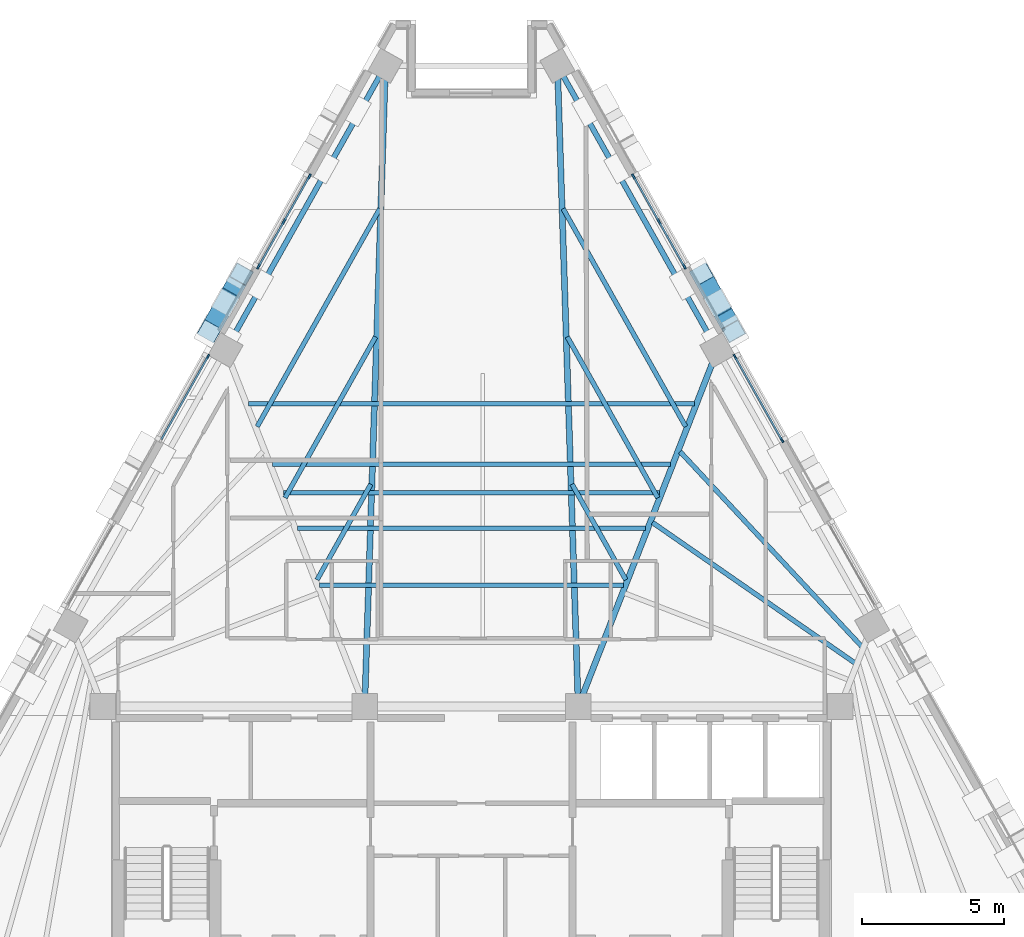
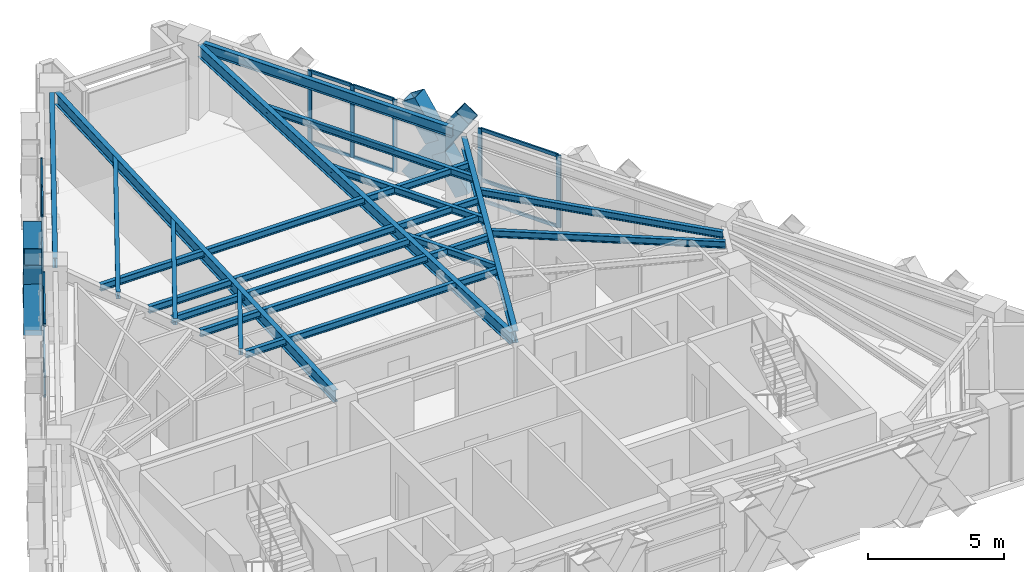
# One storey, part 4 of 13: 33 members, 18 beams, 4 elements without a shape of their own.
"""IFC4 building model written with IfcOpenShell, lengths in metres."""

from ifc_helpers import new_model, si_unit, direction, frame, origin, origin_2d, place, context, subcontext, project, spatial, rectangle, hollow_rectangle, i_section, extrude, material, material_profile, profile_set, type_object, element, aggregate, save


model = new_model("IFC4")

# Units and contexts
model_context = context("Model", 3, precision=1e-05, world=origin(), true_north=direction((0.0, 1.0)))
body_context = subcontext(model_context, "Body", "Model", "MODEL_VIEW")
ifc_project = project(units=[si_unit("LENGTHUNIT", "METRE"), si_unit("AREAUNIT", "SQUARE_METRE"), si_unit("VOLUMEUNIT", "CUBIC_METRE"), si_unit("PLANEANGLEUNIT", "RADIAN"), si_unit("MASSUNIT", "GRAM", prefix="KILO")], contexts=[model_context])

# Site, building, storey
site_placement = place(None, origin())
site = spatial("IfcSite", under=ifc_project, at=site_placement, CompositionType="ELEMENT")
building_placement = place(site_placement, origin())
building = spatial("IfcBuilding", under=site, at=building_placement, Name="Quenlor Broadcast Tower", CompositionType="ELEMENT")
storey_placement = place(building_placement, frame((0.0, 0.0, 214.89990234375)))
storey = spatial("IfcBuildingStorey", under=building, at=storey_placement, Name="L59", CompositionType="ELEMENT", Elevation=214.89990234375)

# Curtain wall, members
ifc_material_1 = material(Name="Architectural Terracotta and Low-E Glazing", Category="masonry")
curtain_wall_type = type_object("IfcCurtainWallType", Name="Unitised Terracotta Curtain Wall System Z4", PredefinedType="NOTDEFINED", material=ifc_material_1)
curtain_wall_1_placement = place(storey_placement, origin())
curtain_wall_1 = element("IfcCurtainWall", 1, at=curtain_wall_1_placement, inside=storey, type_object=curtain_wall_type, Name="L59 Curtain Wall CW4 (L59-NEA-G1)", PredefinedType="NOTDEFINED")
ifc_material_2 = material(Name="Aluminium 6063-T6", Category="aluminium")
ifc_material_profile_1 = material_profile(ifc_material_2, rectangle(XDim=0.068115234375, YDim=0.179931640625, at=origin_2d()))
ifc_profile_set_1 = profile_set([ifc_material_profile_1], Name="Aluminium 6063-T6 MULL68x180")
member_type_1 = type_object("IfcMemberType", Name="CW4 Aluminium Mullion MULL_CW4", PredefinedType="MULLION", material=ifc_profile_set_1)
member_1_placement = place(storey_placement, frame((5.693115234375, 13.820068359375, 0.0), z_axis=(0.0, 0.0, 1.0), x_axis=(0.871576257465, 0.490259959025, 0.0)))
member_1 = element("IfcMember", 2, at=member_1_placement, type_object=member_type_1, Name="CW4 mullion 1", PredefinedType="MULLION", context=body_context, shape_type="SweptSolid", body=[
    extrude(rectangle(XDim=0.068115234375, YDim=0.179931640625, at=origin_2d()), origin(), (0.0, 0.0, 1.0), 3.25),
])
member_2_placement = place(storey_placement, frame((6.585205078125, 12.23388671875, 0.0), z_axis=(0.0, 0.0, 1.0), x_axis=(0.871576257465, 0.490259959025, 0.0)))
member_2 = element("IfcMember", 3, at=member_2_placement, type_object=member_type_1, Name="CW4 mullion 2", PredefinedType="MULLION", context=body_context, shape_type="SweptSolid", body=[
    extrude(rectangle(XDim=0.068115234375, YDim=0.179931640625, at=origin_2d()), origin(), (0.0, 0.0, 1.0), 3.25),
])
member_3_placement = place(storey_placement, frame((7.477294921875, 10.64794921875, 0.0), z_axis=(0.0, 0.0, 1.0), x_axis=(0.871576257465, 0.490259959025, 0.0)))
member_3 = element("IfcMember", 4, at=member_3_placement, type_object=member_type_1, Name="CW4 mullion 3", PredefinedType="MULLION", context=body_context, shape_type="SweptSolid", body=[
    extrude(rectangle(XDim=0.068115234375, YDim=0.179931640625, at=origin_2d()), origin(), (0.0, 0.0, 1.0), 3.25),
])

curtain_wall_2_placement = place(storey_placement, origin())
curtain_wall_2 = element("IfcCurtainWall", 5, at=curtain_wall_2_placement, inside=storey, type_object=curtain_wall_type, Name="L59 Curtain Wall CW4 (L59-NE-G1)", PredefinedType="NOTDEFINED")
member_4_placement = place(storey_placement, frame((9.257080078125, 7.484130859375, 0.0), z_axis=(0.0, 0.0, 1.0), x_axis=(0.871577871382, 0.490257089819, 0.0)))
member_4 = element("IfcMember", 6, at=member_4_placement, type_object=member_type_1, Name="CW4 mullion 1", PredefinedType="MULLION", context=body_context, shape_type="SweptSolid", body=[
    extrude(rectangle(XDim=0.068115234375, YDim=0.179931640625, at=origin_2d()), origin(), (0.0, 0.0, 1.0), 3.25),
])
member_5_placement = place(storey_placement, frame((10.906494140625, 4.5517578125, 0.0), z_axis=(0.0, 0.0, 1.0), x_axis=(0.871577871382, 0.490257089819, 0.0)))
member_5 = element("IfcMember", 7, at=member_5_placement, type_object=member_type_1, Name="CW4 mullion 2", PredefinedType="MULLION", context=body_context, shape_type="SweptSolid", body=[
    extrude(rectangle(XDim=0.068115234375, YDim=0.179931640625, at=origin_2d()), origin(), (0.0, 0.0, 1.0), 3.25),
])

curtain_wall_3_placement = place(storey_placement, origin())
curtain_wall_3 = element("IfcCurtainWall", 8, at=curtain_wall_3_placement, inside=storey, type_object=curtain_wall_type, Name="L59 Curtain Wall CW4 (L59-NWC-G1)", PredefinedType="NOTDEFINED")
member_6_placement = place(storey_placement, frame((-7.477294921875, 10.64794921875, 0.0), z_axis=(0.0, 0.0, 1.0), x_axis=(-0.871576257465, 0.490259959025, 0.0)))
member_6 = element("IfcMember", 9, at=member_6_placement, type_object=member_type_1, Name="CW4 mullion 1", PredefinedType="MULLION", context=body_context, shape_type="SweptSolid", body=[
    extrude(rectangle(XDim=0.068115234375, YDim=0.179931640625, at=origin_2d()), origin(), (0.0, 0.0, 1.0), 3.25),
])
member_7_placement = place(storey_placement, frame((-6.585205078125, 12.23388671875, 0.0), z_axis=(0.0, 0.0, 1.0), x_axis=(-0.871576257465, 0.490259959025, 0.0)))
member_7 = element("IfcMember", 10, at=member_7_placement, type_object=member_type_1, Name="CW4 mullion 2", PredefinedType="MULLION", context=body_context, shape_type="SweptSolid", body=[
    extrude(rectangle(XDim=0.068115234375, YDim=0.179931640625, at=origin_2d()), origin(), (0.0, 0.0, 1.0), 3.25),
])
member_8_placement = place(storey_placement, frame((-5.693115234375, 13.820068359375, 0.0), z_axis=(0.0, 0.0, 1.0), x_axis=(-0.871576257465, 0.490259959025, 0.0)))
member_8 = element("IfcMember", 11, at=member_8_placement, type_object=member_type_1, Name="CW4 mullion 3", PredefinedType="MULLION", context=body_context, shape_type="SweptSolid", body=[
    extrude(rectangle(XDim=0.068115234375, YDim=0.179931640625, at=origin_2d()), origin(), (0.0, 0.0, 1.0), 3.25),
])

# Curtain wall, member
curtain_wall_4_placement = place(storey_placement, origin())
curtain_wall_4 = element("IfcCurtainWall", 12, at=curtain_wall_4_placement, inside=storey, type_object=curtain_wall_type, Name="L59 Curtain Wall CW4 (L59-NW-G2)", PredefinedType="NOTDEFINED")
member_9_placement = place(storey_placement, frame((-9.257080078125, 7.484130859375, 0.0), z_axis=(0.0, 0.0, 1.0), x_axis=(-0.871577871382, 0.490257089819, 0.0)))
member_9 = element("IfcMember", 13, at=member_9_placement, type_object=member_type_1, Name="CW4 mullion 2", PredefinedType="MULLION", context=body_context, shape_type="SweptSolid", body=[
    extrude(rectangle(XDim=0.068115234375, YDim=0.179931640625, at=origin_2d()), origin(), (0.0, 0.0, 1.0), 3.25),
])

# Member
ifc_material_3 = material(Name="Aluminium 6063-T6", Category="aluminium")
ifc_material_profile_2 = material_profile(ifc_material_3, rectangle(XDim=0.068115234375, YDim=0.14990234375, at=origin_2d()))
ifc_profile_set_2 = profile_set([ifc_material_profile_2], Name="Aluminium 6063-T6 TRAN68x150")
member_type_2 = type_object("IfcMemberType", Name="CW4 Aluminium Transom TRAN_CW4", PredefinedType="USERDEFINED", material=ifc_profile_set_2)
member_10_placement = place(storey_placement, frame((5.709716796875, 13.790283203125, 0.0341796875), z_axis=(0.490334029137, -0.871534589027, 0.0), x_axis=(0.871534589027, 0.490334029137, 0.0)))
member_10 = element("IfcMember", 14, at=member_10_placement, type_object=member_type_2, Name="CW4 transom 1.1", ObjectType="TRANSOM", PredefinedType="USERDEFINED", context=body_context, shape_type="SweptSolid", body=[
    extrude(rectangle(XDim=0.068115234375, YDim=0.14990234375, at=origin_2d()), origin(), (0.0, 0.0, 1.0), 1.751708984375),
])

member_11_placement = place(storey_placement, frame((5.709716796875, 13.790283203125, 0.9501953125), z_axis=(0.490334029137, -0.871534589027, 0.0), x_axis=(0.871534589027, 0.490334029137, 0.0)))
member_11 = element("IfcMember", 15, at=member_11_placement, type_object=member_type_2, Name="CW4 transom 1.2", ObjectType="TRANSOM", PredefinedType="USERDEFINED", context=body_context, shape_type="SweptSolid", body=[
    extrude(rectangle(XDim=0.068115234375, YDim=0.14990234375, at=origin_2d()), origin(), (0.0, 0.0, 1.0), 1.751708984375),
])

member_12_placement = place(storey_placement, frame((5.709716796875, 13.790283203125, 3.216064453125), z_axis=(0.490334029137, -0.871534589027, 0.0), x_axis=(0.871534589027, 0.490334029137, 0.0)))
member_12 = element("IfcMember", 16, at=member_12_placement, type_object=member_type_2, Name="CW4 transom 1.3", ObjectType="TRANSOM", PredefinedType="USERDEFINED", context=body_context, shape_type="SweptSolid", body=[
    extrude(rectangle(XDim=0.068115234375, YDim=0.14990234375, at=origin_2d()), origin(), (0.0, 0.0, 1.0), 1.751708984375),
])

member_13_placement = place(storey_placement, frame((6.601806640625, 12.204345703125, 0.0341796875), z_axis=(0.490274472735, -0.871568093372, 0.0), x_axis=(0.871568093372, 0.490274472735, 0.0)))
member_13 = element("IfcMember", 17, at=member_13_placement, type_object=member_type_2, Name="CW4 transom 2.1", ObjectType="TRANSOM", PredefinedType="USERDEFINED", context=body_context, shape_type="SweptSolid", body=[
    extrude(rectangle(XDim=0.068115234375, YDim=0.14990234375, at=origin_2d()), origin(), (0.0, 0.0, 1.0), 1.751953125),
])

member_14_placement = place(storey_placement, frame((6.601806640625, 12.204345703125, 0.9501953125), z_axis=(0.490274472735, -0.871568093372, 0.0), x_axis=(0.871568093372, 0.490274472735, 0.0)))
member_14 = element("IfcMember", 18, at=member_14_placement, type_object=member_type_2, Name="CW4 transom 2.2", ObjectType="TRANSOM", PredefinedType="USERDEFINED", context=body_context, shape_type="SweptSolid", body=[
    extrude(rectangle(XDim=0.068115234375, YDim=0.14990234375, at=origin_2d()), origin(), (0.0, 0.0, 1.0), 1.751953125),
])

member_15_placement = place(storey_placement, frame((6.601806640625, 12.204345703125, 3.216064453125), z_axis=(0.490274472735, -0.871568093372, 0.0), x_axis=(0.871568093372, 0.490274472735, 0.0)))
member_15 = element("IfcMember", 19, at=member_15_placement, type_object=member_type_2, Name="CW4 transom 2.3", ObjectType="TRANSOM", PredefinedType="USERDEFINED", context=body_context, shape_type="SweptSolid", body=[
    extrude(rectangle(XDim=0.068115234375, YDim=0.14990234375, at=origin_2d()), origin(), (0.0, 0.0, 1.0), 1.751953125),
])

aggregate(curtain_wall_1, [member_1, member_2, member_3, member_10, member_11, member_12, member_13, member_14, member_15])

member_16_placement = place(storey_placement, frame((9.273681640625, 7.454345703125, 0.0341796875), z_axis=(0.490264756272, -0.871573559005, 0.0), x_axis=(0.871573559005, 0.490264756272, 0.0)))
member_16 = element("IfcMember", 20, at=member_16_placement, type_object=member_type_2, Name="CW4 transom 1.1", ObjectType="TRANSOM", PredefinedType="USERDEFINED", context=body_context, shape_type="SweptSolid", body=[
    extrude(rectangle(XDim=0.068115234375, YDim=0.14990234375, at=origin_2d()), origin(), (0.0, 0.0, 1.0), 3.296142578125),
])

member_17_placement = place(storey_placement, frame((9.273681640625, 7.454345703125, 0.9501953125), z_axis=(0.490264756272, -0.871573559005, 0.0), x_axis=(0.871573559005, 0.490264756272, 0.0)))
member_17 = element("IfcMember", 21, at=member_17_placement, type_object=member_type_2, Name="CW4 transom 1.2", ObjectType="TRANSOM", PredefinedType="USERDEFINED", context=body_context, shape_type="SweptSolid", body=[
    extrude(rectangle(XDim=0.068115234375, YDim=0.14990234375, at=origin_2d()), origin(), (0.0, 0.0, 1.0), 3.296142578125),
])

member_18_placement = place(storey_placement, frame((9.273681640625, 7.454345703125, 3.216064453125), z_axis=(0.490264756272, -0.871573559005, 0.0), x_axis=(0.871573559005, 0.490264756272, 0.0)))
member_18 = element("IfcMember", 22, at=member_18_placement, type_object=member_type_2, Name="CW4 transom 1.3", ObjectType="TRANSOM", PredefinedType="USERDEFINED", context=body_context, shape_type="SweptSolid", body=[
    extrude(rectangle(XDim=0.068115234375, YDim=0.14990234375, at=origin_2d()), origin(), (0.0, 0.0, 1.0), 3.296142578125),
])

aggregate(curtain_wall_2, [member_4, member_5, member_16, member_17, member_18])

member_19_placement = place(storey_placement, frame((-7.460693359375, 10.677490234375, 0.0341796875), z_axis=(0.490274472735, 0.871568093372, 0.0), x_axis=(-0.871568093372, 0.490274472735, 0.0)))
member_19 = element("IfcMember", 23, at=member_19_placement, type_object=member_type_2, Name="CW4 transom 1.1", ObjectType="TRANSOM", PredefinedType="USERDEFINED", context=body_context, shape_type="SweptSolid", body=[
    extrude(rectangle(XDim=0.068115234375, YDim=0.14990234375, at=origin_2d()), origin(), (0.0, 0.0, 1.0), 1.751953125),
])

member_20_placement = place(storey_placement, frame((-7.460693359375, 10.677490234375, 0.9501953125), z_axis=(0.490274472735, 0.871568093372, 0.0), x_axis=(-0.871568093372, 0.490274472735, 0.0)))
member_20 = element("IfcMember", 24, at=member_20_placement, type_object=member_type_2, Name="CW4 transom 1.2", ObjectType="TRANSOM", PredefinedType="USERDEFINED", context=body_context, shape_type="SweptSolid", body=[
    extrude(rectangle(XDim=0.068115234375, YDim=0.14990234375, at=origin_2d()), origin(), (0.0, 0.0, 1.0), 1.751953125),
])

member_21_placement = place(storey_placement, frame((-7.460693359375, 10.677490234375, 3.216064453125), z_axis=(0.490274472735, 0.871568093372, 0.0), x_axis=(-0.871568093372, 0.490274472735, 0.0)))
member_21 = element("IfcMember", 25, at=member_21_placement, type_object=member_type_2, Name="CW4 transom 1.3", ObjectType="TRANSOM", PredefinedType="USERDEFINED", context=body_context, shape_type="SweptSolid", body=[
    extrude(rectangle(XDim=0.068115234375, YDim=0.14990234375, at=origin_2d()), origin(), (0.0, 0.0, 1.0), 1.751953125),
])

member_22_placement = place(storey_placement, frame((-6.568603515625, 12.263671875, 0.0341796875), z_axis=(0.490334029137, 0.871534589027, 0.0), x_axis=(-0.871534589027, 0.490334029137, 0.0)))
member_22 = element("IfcMember", 26, at=member_22_placement, type_object=member_type_2, Name="CW4 transom 2.1", ObjectType="TRANSOM", PredefinedType="USERDEFINED", context=body_context, shape_type="SweptSolid", body=[
    extrude(rectangle(XDim=0.068115234375, YDim=0.14990234375, at=origin_2d()), origin(), (0.0, 0.0, 1.0), 1.751708984375),
])

member_23_placement = place(storey_placement, frame((-6.568603515625, 12.263671875, 0.9501953125), z_axis=(0.490334029137, 0.871534589027, 0.0), x_axis=(-0.871534589027, 0.490334029137, 0.0)))
member_23 = element("IfcMember", 27, at=member_23_placement, type_object=member_type_2, Name="CW4 transom 2.2", ObjectType="TRANSOM", PredefinedType="USERDEFINED", context=body_context, shape_type="SweptSolid", body=[
    extrude(rectangle(XDim=0.068115234375, YDim=0.14990234375, at=origin_2d()), origin(), (0.0, 0.0, 1.0), 1.751708984375),
])

member_24_placement = place(storey_placement, frame((-6.568603515625, 12.263671875, 3.216064453125), z_axis=(0.490334029137, 0.871534589027, 0.0), x_axis=(-0.871534589027, 0.490334029137, 0.0)))
member_24 = element("IfcMember", 28, at=member_24_placement, type_object=member_type_2, Name="CW4 transom 2.3", ObjectType="TRANSOM", PredefinedType="USERDEFINED", context=body_context, shape_type="SweptSolid", body=[
    extrude(rectangle(XDim=0.068115234375, YDim=0.14990234375, at=origin_2d()), origin(), (0.0, 0.0, 1.0), 1.751708984375),
])

aggregate(curtain_wall_3, [member_6, member_7, member_8, member_19, member_20, member_21, member_22, member_23, member_24])

member_25_placement = place(storey_placement, frame((-10.8896484375, 4.58154296875, 0.0341796875), z_axis=(0.490264756272, 0.871573559005, 0.0), x_axis=(-0.871573559005, 0.490264756272, 0.0)))
member_25 = element("IfcMember", 29, at=member_25_placement, type_object=member_type_2, Name="CW4 transom 1.1", ObjectType="TRANSOM", PredefinedType="USERDEFINED", context=body_context, shape_type="SweptSolid", body=[
    extrude(rectangle(XDim=0.068115234375, YDim=0.14990234375, at=origin_2d()), origin(), (0.0, 0.0, 1.0), 3.296142578125),
])

member_26_placement = place(storey_placement, frame((-10.8896484375, 4.58154296875, 0.9501953125), z_axis=(0.490264756272, 0.871573559005, 0.0), x_axis=(-0.871573559005, 0.490264756272, 0.0)))
member_26 = element("IfcMember", 30, at=member_26_placement, type_object=member_type_2, Name="CW4 transom 1.2", ObjectType="TRANSOM", PredefinedType="USERDEFINED", context=body_context, shape_type="SweptSolid", body=[
    extrude(rectangle(XDim=0.068115234375, YDim=0.14990234375, at=origin_2d()), origin(), (0.0, 0.0, 1.0), 3.296142578125),
])

member_27_placement = place(storey_placement, frame((-10.8896484375, 4.58154296875, 3.216064453125), z_axis=(0.490264756272, 0.871573559005, 0.0), x_axis=(-0.871573559005, 0.490264756272, 0.0)))
member_27 = element("IfcMember", 31, at=member_27_placement, type_object=member_type_2, Name="CW4 transom 1.3", ObjectType="TRANSOM", PredefinedType="USERDEFINED", context=body_context, shape_type="SweptSolid", body=[
    extrude(rectangle(XDim=0.068115234375, YDim=0.14990234375, at=origin_2d()), origin(), (0.0, 0.0, 1.0), 3.296142578125),
])

aggregate(curtain_wall_4, [member_9, member_25, member_26, member_27])

# Members
ifc_material_4 = material(Name="Steel S355", Category="steel")
ifc_material_profile_3 = material_profile(ifc_material_4, hollow_rectangle(XDim=0.679931640625, YDim=0.679931640625, WallThickness=0.02490234375, at=origin_2d()))
ifc_profile_set_3 = profile_set([ifc_material_profile_3], Name="Steel S355 RHS680x680x25")
member_type_3 = type_object("IfcMemberType", Name="Perimeter Diagonal Lattice Brace Z3-Z4 Steel S355 RHS680x25", PredefinedType="BRACE", material=ifc_profile_set_3)
member_28_placement = place(storey_placement, frame((8.079345703125, 10.38330078125, -0.119873046875), z_axis=(0.269547055694, -0.479136497832, 0.835327840559), x_axis=(0.871550060774, 0.49030652817, 0.0)))
element("IfcMember", 32, at=member_28_placement, inside=storey, type_object=member_type_3, Name="L59 Perimeter Diamond Lattice NE-C2XA", PredefinedType="BRACE", context=body_context, shape_type="SweptSolid", body=[
    extrude(hollow_rectangle(XDim=0.679931640625, YDim=0.679931640625, WallThickness=0.02490234375, at=origin_2d()), origin(), (0.0, 0.0, 1.0), 4.18994140625),
])
for number, where, z_axis, x_axis, name in (
    (33, (9.208740234375, 8.375732421875, -0.119873046875), (-0.269535527865, 0.479130165145, 0.835335192642), (-0.871556252289, -0.490295522207, 0.0), "L59 Perimeter Diamond Lattice NE-C2XB1"),
    (34, (8.57666015625, 9.499267578125, 1.8388671875), (-0.269535527865, 0.479130165145, 0.835335192642), (-0.871556252289, -0.490295522207, 0.0), "L59 Perimeter Diamond Lattice NE-C2XB2"),
):
    element("IfcMember", number, at=place(storey_placement, frame(where, z_axis=z_axis, x_axis=x_axis)), inside=storey, type_object=member_type_3, Name=name, PredefinedType="BRACE", context=body_context, shape_type="SweptSolid", body=[
        extrude(hollow_rectangle(XDim=0.679931640625, YDim=0.679931640625, WallThickness=0.02490234375, at=origin_2d()), origin(), (0.0, 0.0, 1.0), 1.844970703125),
    ])
member_29_placement = place(storey_placement, frame((-9.208740234375, 8.375732421875, -0.119873046875), z_axis=(0.269547055694, 0.479136497832, 0.835327840559), x_axis=(-0.871550060774, 0.49030652817, 0.0)))
element("IfcMember", 35, at=member_29_placement, inside=storey, type_object=member_type_3, Name="L59 Perimeter Diamond Lattice NW-C4XA", PredefinedType="BRACE", context=body_context, shape_type="SweptSolid", body=[
    extrude(hollow_rectangle(XDim=0.679931640625, YDim=0.679931640625, WallThickness=0.02490234375, at=origin_2d()), origin(), (0.0, 0.0, 1.0), 4.18994140625),
])
for number, where, z_axis, x_axis, name in (
    (36, (-8.079345703125, 10.38330078125, -0.119873046875), (-0.269535527865, -0.479130165145, 0.835335192642), (0.871556252289, -0.490295522207, 0.0), "L59 Perimeter Diamond Lattice NW-C4XB1"),
    (37, (-8.71142578125, 9.259765625, 1.8388671875), (-0.269535527865, -0.479130165145, 0.835335192642), (0.871556252289, -0.490295522207, 0.0), "L59 Perimeter Diamond Lattice NW-C4XB2"),
):
    element("IfcMember", number, at=place(storey_placement, frame(where, z_axis=z_axis, x_axis=x_axis)), inside=storey, type_object=member_type_3, Name=name, PredefinedType="BRACE", context=body_context, shape_type="SweptSolid", body=[
        extrude(hollow_rectangle(XDim=0.679931640625, YDim=0.679931640625, WallThickness=0.02490234375, at=origin_2d()), origin(), (0.0, 0.0, 1.0), 1.844970703125),
    ])

# Beams
ifc_material_5 = material(Name="Steel S355", Category="steel")
ifc_material_profile_4 = material_profile(ifc_material_5, i_section(OverallWidth=0.18994140625, OverallDepth=0.453857421875, WebThickness=0.008544921875, FlangeThickness=0.0126953125, FilletRadius=0.011474609375, at=origin_2d()))
ifc_profile_set_4 = profile_set([ifc_material_profile_4], Name="Steel S355 460UB67.1")
beam_type_1 = type_object("IfcBeamType", Name="Perimeter Spandrel Beam Z4 Steel S355 460UB67.1", PredefinedType="SPANDREL", material=ifc_profile_set_4)
for number, where, z_axis, x_axis, name in (
    (38, (8.438720703125, 8.072265625, 3.023193359375), (-0.490281935429, 0.871563895415, 0.0), (-0.871563895415, -0.490281935429, 0.0), "L59 Spandrel Beam NE3-NE4"),
    (39, (-3.221435546875, 17.346923828125, 3.023193359375), (-0.490281935429, -0.871563895415, 0.0), (0.871563895415, -0.490281935429, 0.0), "L59 Spandrel Beam NW1-NW2"),
):
    element("IfcBeam", number, at=place(storey_placement, frame(where, z_axis=z_axis, x_axis=x_axis)), inside=storey, type_object=beam_type_1, Name=name, PredefinedType="SPANDREL", context=body_context, shape_type="SweptSolid", body=[
        extrude(i_section(OverallWidth=0.18994140625, OverallDepth=0.453857421875, WebThickness=0.008544921875, FlangeThickness=0.0126953125, FilletRadius=0.011474609375, at=origin_2d()), origin(), (0.0, 0.0, 1.0), 10.641357421875),
    ])
ifc_material_6 = material(Name="Steel S355", Category="steel")
ifc_material_profile_5 = material_profile(ifc_material_6, i_section(OverallWidth=0.166015625, OverallDepth=0.30712890625, WebThickness=0.006591796875, FlangeThickness=0.01171875, FilletRadius=0.011474609375, at=origin_2d()))
ifc_profile_set_5 = profile_set([ifc_material_profile_5], Name="Steel S355 310UB46.2")
beam_type_2 = type_object("IfcBeamType", Name="Tower Composite Joist Z4-Z5 Steel S355 310UB46.2", PredefinedType="JOIST", material=ifc_profile_set_5)
beam_1_placement = place(storey_placement, frame((-6.603759765625, 2.708984375, 3.096435546875), z_axis=(1.0, 0.0, 0.0), x_axis=(0.0, 1.0, 0.0)))
element("IfcBeam", 40, at=beam_1_placement, inside=storey, type_object=beam_type_2, Name="L59 Secondary Composite Joist 2", PredefinedType="JOIST", context=body_context, shape_type="SweptSolid", body=[
    extrude(i_section(OverallWidth=0.166015625, OverallDepth=0.30712890625, WebThickness=0.006591796875, FlangeThickness=0.01171875, FilletRadius=0.011474609375, at=origin_2d()), origin(), (0.0, 0.0, 1.0), 13.20751953125),
])
beam_2_placement = place(storey_placement, frame((-5.33251953125, -0.544921875, 3.096435546875), z_axis=(1.0, 0.0, 0.0), x_axis=(0.0, 1.0, 0.0)))
element("IfcBeam", 41, at=beam_2_placement, inside=storey, type_object=beam_type_2, Name="L59 Secondary Composite Joist 3", PredefinedType="JOIST", context=body_context, shape_type="SweptSolid", body=[
    extrude(i_section(OverallWidth=0.166015625, OverallDepth=0.30712890625, WebThickness=0.006591796875, FlangeThickness=0.01171875, FilletRadius=0.011474609375, at=origin_2d()), origin(), (0.0, 0.0, 1.0), 10.6650390625),
])
beam_3_placement = place(storey_placement, frame((-6.11474609375, 1.45751953125, 3.096435546875), z_axis=(1.0, 0.0, 0.0), x_axis=(0.0, 1.0, 0.0)))
element("IfcBeam", 42, at=beam_3_placement, inside=storey, type_object=beam_type_2, Name="L59 Secondary Composite Joist 4", PredefinedType="JOIST", context=body_context, shape_type="SweptSolid", body=[
    extrude(i_section(OverallWidth=0.166015625, OverallDepth=0.30712890625, WebThickness=0.006591796875, FlangeThickness=0.01171875, FilletRadius=0.011474609375, at=origin_2d()), origin(), (0.0, 0.0, 1.0), 12.2294921875),
])
beam_4_placement = place(storey_placement, frame((-6.994873046875, 3.710205078125, 3.096435546875), z_axis=(1.0, 0.0, 0.0), x_axis=(0.0, 1.0, 0.0)))
element("IfcBeam", 43, at=beam_4_placement, inside=storey, type_object=beam_type_2, Name="L59 Secondary Composite Joist 5", PredefinedType="JOIST", context=body_context, shape_type="SweptSolid", body=[
    extrude(i_section(OverallWidth=0.166015625, OverallDepth=0.30712890625, WebThickness=0.006591796875, FlangeThickness=0.01171875, FilletRadius=0.011474609375, at=origin_2d()), origin(), (0.0, 0.0, 1.0), 13.98974609375),
])
beam_5_placement = place(storey_placement, frame((-7.826171875, 5.837646484375, 3.096435546875), z_axis=(1.0, 0.0, 0.0), x_axis=(0.0, 1.0, 0.0)))
element("IfcBeam", 44, at=beam_5_placement, inside=storey, type_object=beam_type_2, Name="L59 Secondary Composite Joist 6", PredefinedType="JOIST", context=body_context, shape_type="SweptSolid", body=[
    extrude(i_section(OverallWidth=0.166015625, OverallDepth=0.30712890625, WebThickness=0.006591796875, FlangeThickness=0.01171875, FilletRadius=0.011474609375, at=origin_2d()), origin(), (0.0, 0.0, 1.0), 15.65234375),
])
beam_6_placement = place(storey_placement, frame((13.470458984375, -3.273681640625, 3.096435546875), z_axis=(-0.821539857981, 0.570151086773, 0.0), x_axis=(-0.570151086773, -0.821539857981, 0.0)))
element("IfcBeam", 45, at=beam_6_placement, inside=storey, type_object=beam_type_2, Name="L59 Secondary Composite Joist 11", PredefinedType="JOIST", context=body_context, shape_type="SweptSolid", body=[
    extrude(i_section(OverallWidth=0.166015625, OverallDepth=0.30712890625, WebThickness=0.006591796875, FlangeThickness=0.01171875, FilletRadius=0.011474609375, at=origin_2d()), origin(), (0.0, 0.0, 1.0), 8.656982421875),
])
beam_7_placement = place(storey_placement, frame((13.707275390625, -2.691162109375, 3.096435546875), z_axis=(-0.682034672805, 0.731319837754, 0.0), x_axis=(-0.731319837754, -0.682034672805, 0.0)))
element("IfcBeam", 46, at=beam_7_placement, inside=storey, type_object=beam_type_2, Name="L59 Secondary Composite Joist 12", PredefinedType="JOIST", context=body_context, shape_type="SweptSolid", body=[
    extrude(i_section(OverallWidth=0.166015625, OverallDepth=0.30712890625, WebThickness=0.006591796875, FlangeThickness=0.01171875, FilletRadius=0.011474609375, at=origin_2d()), origin(), (0.0, 0.0, 1.0), 9.357421875),
])
beam_8_placement = place(storey_placement, frame((-3.533935546875, 3.0068359375, 3.096435546875), z_axis=(-0.490243182397, -0.871585694073, 0.0), x_axis=(0.871585694073, -0.490243182397, 0.0)))
element("IfcBeam", 47, at=beam_8_placement, inside=storey, type_object=beam_type_2, Name="L59 Secondary Composite Joist 25", PredefinedType="JOIST", context=body_context, shape_type="SweptSolid", body=[
    extrude(i_section(OverallWidth=0.166015625, OverallDepth=0.30712890625, WebThickness=0.006591796875, FlangeThickness=0.01171875, FilletRadius=0.011474609375, at=origin_2d()), origin(), (0.0, 0.0, 1.0), 3.8515625),
])
beam_9_placement = place(storey_placement, frame((-3.3662109375, 8.182861328125, 3.096435546875), z_axis=(-0.490230865807, -0.871592621705, 0.0), x_axis=(0.871592621705, -0.490230865807, 0.0)))
element("IfcBeam", 48, at=beam_9_placement, inside=storey, type_object=beam_type_2, Name="L59 Secondary Composite Joist 26", PredefinedType="JOIST", context=body_context, shape_type="SweptSolid", body=[
    extrude(i_section(OverallWidth=0.166015625, OverallDepth=0.30712890625, WebThickness=0.006591796875, FlangeThickness=0.01171875, FilletRadius=0.011474609375, at=origin_2d()), origin(), (0.0, 0.0, 1.0), 6.487548828125),
])
beam_10_placement = place(storey_placement, frame((-3.22021484375, 12.68359375, 3.096435546875), z_axis=(-0.490261239633, -0.871575537125, 0.0), x_axis=(0.871575537125, -0.490261239633, 0.0)))
element("IfcBeam", 49, at=beam_10_placement, inside=storey, type_object=beam_type_2, Name="L59 Secondary Composite Joist 27", PredefinedType="JOIST", context=body_context, shape_type="SweptSolid", body=[
    extrude(i_section(OverallWidth=0.166015625, OverallDepth=0.30712890625, WebThickness=0.006591796875, FlangeThickness=0.01171875, FilletRadius=0.011474609375, at=origin_2d()), origin(), (0.0, 0.0, 1.0), 8.77978515625),
])
beam_11_placement = place(storey_placement, frame((3.533935546875, 3.0068359375, 3.096435546875), z_axis=(0.490243182397, -0.871585694073, 0.0), x_axis=(0.871585694073, 0.490243182397, 0.0)))
element("IfcBeam", 50, at=beam_11_placement, inside=storey, type_object=beam_type_2, Name="L59 Secondary Composite Joist 28", PredefinedType="JOIST", context=body_context, shape_type="SweptSolid", body=[
    extrude(i_section(OverallWidth=0.166015625, OverallDepth=0.30712890625, WebThickness=0.006591796875, FlangeThickness=0.01171875, FilletRadius=0.011474609375, at=origin_2d()), origin(), (0.0, 0.0, 1.0), 3.8515625),
])
beam_12_placement = place(storey_placement, frame((3.3662109375, 8.182861328125, 3.096435546875), z_axis=(0.490230865807, -0.871592621705, 0.0), x_axis=(0.871592621705, 0.490230865807, 0.0)))
element("IfcBeam", 51, at=beam_12_placement, inside=storey, type_object=beam_type_2, Name="L59 Secondary Composite Joist 29", PredefinedType="JOIST", context=body_context, shape_type="SweptSolid", body=[
    extrude(i_section(OverallWidth=0.166015625, OverallDepth=0.30712890625, WebThickness=0.006591796875, FlangeThickness=0.01171875, FilletRadius=0.011474609375, at=origin_2d()), origin(), (0.0, 0.0, 1.0), 6.487548828125),
])
beam_13_placement = place(storey_placement, frame((3.22021484375, 12.68359375, 3.096435546875), z_axis=(0.490261239633, -0.871575537125, 0.0), x_axis=(0.871575537125, 0.490261239633, 0.0)))
element("IfcBeam", 52, at=beam_13_placement, inside=storey, type_object=beam_type_2, Name="L59 Secondary Composite Joist 30", PredefinedType="JOIST", context=body_context, shape_type="SweptSolid", body=[
    extrude(i_section(OverallWidth=0.166015625, OverallDepth=0.30712890625, WebThickness=0.006591796875, FlangeThickness=0.01171875, FilletRadius=0.011474609375, at=origin_2d()), origin(), (0.0, 0.0, 1.0), 8.77978515625),
])
ifc_material_7 = material(Name="Steel S355", Category="steel")
ifc_material_profile_6 = material_profile(ifc_material_7, i_section(OverallWidth=0.208984375, OverallDepth=0.5283203125, WebThickness=0.009521484375, FlangeThickness=0.01318359375, FilletRadius=0.013916015625, at=origin_2d()))
ifc_profile_set_6 = profile_set([ifc_material_profile_6], Name="Steel S355 530UB82.0")
beam_type_3 = type_object("IfcBeamType", Name="Tower Primary Floor Beam Z4 Steel S355 530UB82.0", PredefinedType="BEAM", material=ifc_profile_set_6)
beam_14_placement = place(storey_placement, frame((8.490478515625, 7.3330078125, 2.986083984375), z_axis=(-0.363926160921, -0.931427801495, 0.0), x_axis=(0.931427801495, -0.363926160921, 0.0)))
element("IfcBeam", 53, at=beam_14_placement, inside=storey, type_object=beam_type_3, Name="L59 Primary Radial Beam NE3", PredefinedType="BEAM", context=body_context, shape_type="SweptSolid", body=[
    extrude(i_section(OverallWidth=0.208984375, OverallDepth=0.5283203125, WebThickness=0.009521484375, FlangeThickness=0.01318359375, FilletRadius=0.013916015625, at=origin_2d()), origin(), (0.0, 0.0, 1.0), 12.646240234375),
])
for number, where, z_axis, x_axis, name in (
    (54, (3.03369140625, 17.29443359375, 2.986083984375), (0.032408228632, -0.999474715397, 0.0), (0.999474715397, 0.032408228632, 0.0), "L59 Primary Radial Beam NE4"),
    (55, (-3.03369140625, 17.29443359375, 2.986083984375), (-0.032408228632, -0.999474715397, 0.0), (0.999474715397, -0.032408228632, 0.0), "L59 Primary Radial Beam NW1"),
):
    element("IfcBeam", number, at=place(storey_placement, frame(where, z_axis=z_axis, x_axis=x_axis)), inside=storey, type_object=beam_type_3, Name=name, PredefinedType="BEAM", context=body_context, shape_type="SweptSolid", body=[
        extrude(i_section(OverallWidth=0.208984375, OverallDepth=0.5283203125, WebThickness=0.009521484375, FlangeThickness=0.01318359375, FilletRadius=0.013916015625, at=origin_2d()), origin(), (0.0, 0.0, 1.0), 21.72607421875),
    ])

save(model, "model.ifc")
